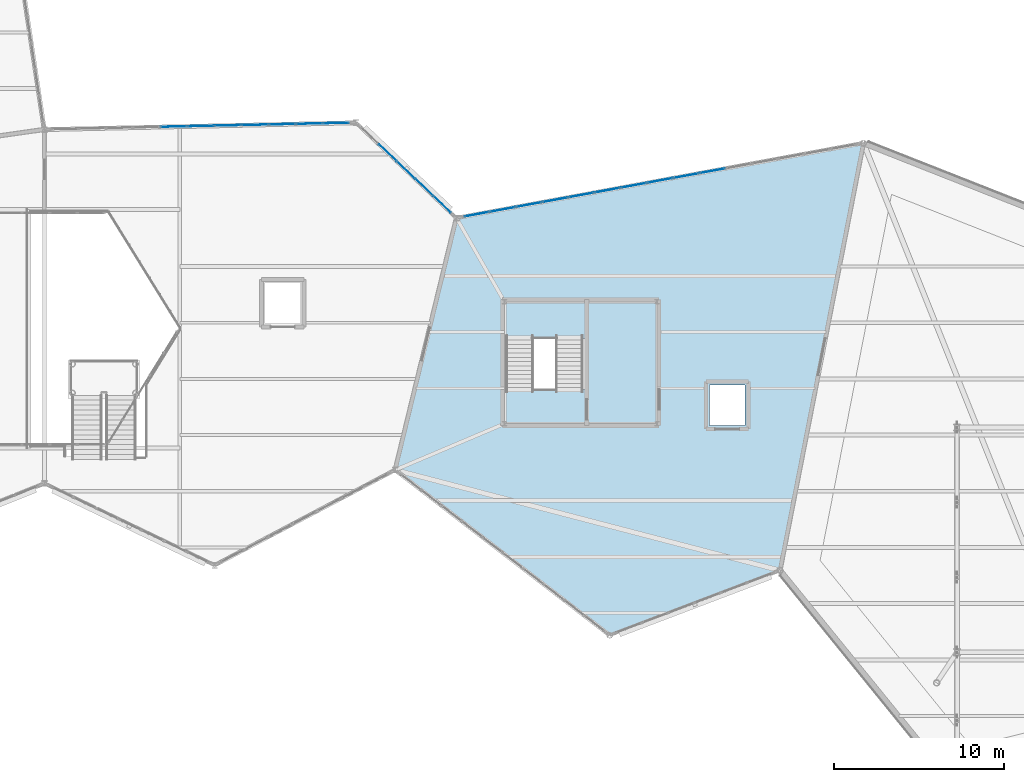
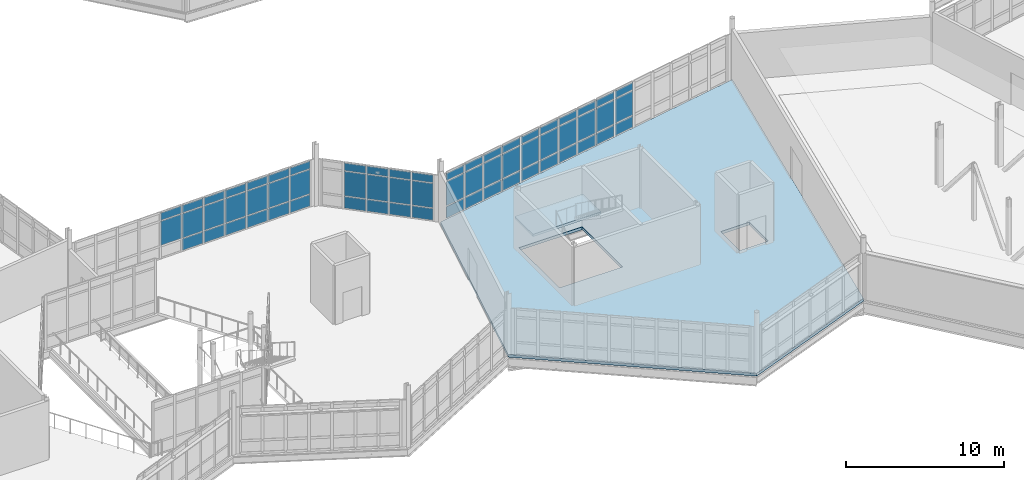
# One storey, part 74 of 114: 62 plates, 2 slabs, 4 elements without a shape of their own.
"""IFC4 building model written with IfcOpenShell, lengths in metres."""

from ifc_helpers import new_model, si_unit, direction, frame, origin, origin_2d, place, context, subcontext, project, spatial, polyline, rectangle, outline, extrude, material, layer, layer_set, type_object, element, aggregate, save


model = new_model("IFC4")

# Units and contexts
model_context = context("Model", 3, precision=1e-05, world=origin(), true_north=direction((0.0, 1.0)))
body_context = subcontext(model_context, "Body", "Model", "MODEL_VIEW")
ifc_project = project(units=[si_unit("LENGTHUNIT", "METRE"), si_unit("AREAUNIT", "SQUARE_METRE"), si_unit("VOLUMEUNIT", "CUBIC_METRE"), si_unit("PLANEANGLEUNIT", "RADIAN"), si_unit("MASSUNIT", "GRAM", prefix="KILO")], contexts=[model_context])

# Site, building, storey
site_placement = place(None, origin())
site = spatial("IfcSite", under=ifc_project, at=site_placement, CompositionType="ELEMENT")
building_placement = place(site_placement, origin())
building = spatial("IfcBuilding", under=site, at=building_placement, Name="Tameran Prism Museum", CompositionType="ELEMENT")
storey_placement = place(building_placement, frame((0.0, 0.0, 10.199951171875)))
storey = spatial("IfcBuildingStorey", under=building, at=storey_placement, Name="L02", CompositionType="ELEMENT", Elevation=10.199951171875)

# Curtain wall, plates
ifc_material_1 = material(Name="Anodised Aluminium 6063-T6 and Cyclone Solar Glass", Category="aluminium")
curtain_wall_type_1 = type_object("IfcCurtainWallType", Name="CW-FAC-738x362", PredefinedType="USERDEFINED", material=ifc_material_1)
curtain_wall_1_placement = place(storey_placement, origin())
curtain_wall_1 = element("IfcCurtainWall", 1, at=curtain_wall_1_placement, inside=storey, type_object=curtain_wall_type_1, Name="Unitised Curtain Wall CW-111", ObjectType="UNITISED CURTAIN WALL", PredefinedType="USERDEFINED")
ifc_material_2 = material(Name="Cyclone Laminated Solar Glass", Category="glass")
ifc_layer_1 = layer(ifc_material_2, 0.031982421875)
ifc_layer_set_1 = layer_set([ifc_layer_1])
plate_type = type_object("IfcPlateType", Name="CW-PNL-G32", PredefinedType="CURTAIN_PANEL", material=ifc_layer_set_1)
plate_1_placement = place(storey_placement, frame((97.65869140625, 46.8359375, 0.06494140625), z_axis=(0.0, 0.0, 1.0), x_axis=(0.725307438491, -0.688425100987, 0.0)))
plate_1 = element("IfcPlate", 2, at=plate_1_placement, type_object=plate_type, Name="CW-111 panel 2.1", PredefinedType="CURTAIN_PANEL", context=body_context, shape_type="SweptSolid", body=[
    extrude(rectangle(XDim=1.409912109375, YDim=0.031982421875, at=origin_2d()), origin(), (0.0, 0.0, 1.0), 0.902587890625),
])
plate_2_placement = place(storey_placement, frame((97.65869140625, 46.8359375, 1.032470703125), z_axis=(0.0, 0.0, 1.0), x_axis=(0.725307438491, -0.688425100987, 0.0)))
plate_2 = element("IfcPlate", 3, at=plate_2_placement, type_object=plate_type, Name="CW-111 panel 2.2", PredefinedType="CURTAIN_PANEL", context=body_context, shape_type="SweptSolid", body=[
    extrude(rectangle(XDim=1.409912109375, YDim=0.031982421875, at=origin_2d()), origin(), (0.0, 0.0, 1.0), 1.875),
])
plate_3_placement = place(storey_placement, frame((97.65869140625, 46.8359375, 2.97265625), z_axis=(0.0, 0.0, 1.0), x_axis=(0.725307438491, -0.688425100987, 0.0)))
plate_3 = element("IfcPlate", 4, at=plate_3_placement, type_object=plate_type, Name="CW-111 panel 2.3", PredefinedType="CURTAIN_PANEL", context=body_context, shape_type="SweptSolid", body=[
    extrude(rectangle(XDim=1.409912109375, YDim=0.031982421875, at=origin_2d()), origin(), (0.0, 0.0, 1.0), 0.58251953125),
])
plate_4_placement = place(storey_placement, frame((98.728515625, 45.820556640625, 0.06494140625), z_axis=(0.0, 0.0, 1.0), x_axis=(0.725307438491, -0.688425100987, 0.0)))
plate_4 = element("IfcPlate", 5, at=plate_4_placement, type_object=plate_type, Name="CW-111 panel 3.1", PredefinedType="CURTAIN_PANEL", context=body_context, shape_type="SweptSolid", body=[
    extrude(rectangle(XDim=1.409912109375, YDim=0.031982421875, at=origin_2d()), origin(), (0.0, 0.0, 1.0), 0.902587890625),
])
plate_5_placement = place(storey_placement, frame((98.728515625, 45.820556640625, 1.032470703125), z_axis=(0.0, 0.0, 1.0), x_axis=(0.725307438491, -0.688425100987, 0.0)))
plate_5 = element("IfcPlate", 6, at=plate_5_placement, type_object=plate_type, Name="CW-111 panel 3.2", PredefinedType="CURTAIN_PANEL", context=body_context, shape_type="SweptSolid", body=[
    extrude(rectangle(XDim=1.409912109375, YDim=0.031982421875, at=origin_2d()), origin(), (0.0, 0.0, 1.0), 1.875),
])
plate_6_placement = place(storey_placement, frame((98.728515625, 45.820556640625, 2.97265625), z_axis=(0.0, 0.0, 1.0), x_axis=(0.725307438491, -0.688425100987, 0.0)))
plate_6 = element("IfcPlate", 7, at=plate_6_placement, type_object=plate_type, Name="CW-111 panel 3.3", PredefinedType="CURTAIN_PANEL", context=body_context, shape_type="SweptSolid", body=[
    extrude(rectangle(XDim=1.409912109375, YDim=0.031982421875, at=origin_2d()), origin(), (0.0, 0.0, 1.0), 0.58251953125),
])
plate_7_placement = place(storey_placement, frame((99.79833984375, 44.80517578125, 0.06494140625), z_axis=(0.0, 0.0, 1.0), x_axis=(0.725307438491, -0.688425100987, 0.0)))
plate_7 = element("IfcPlate", 8, at=plate_7_placement, type_object=plate_type, Name="CW-111 panel 4.1", PredefinedType="CURTAIN_PANEL", context=body_context, shape_type="SweptSolid", body=[
    extrude(rectangle(XDim=1.409912109375, YDim=0.031982421875, at=origin_2d()), origin(), (0.0, 0.0, 1.0), 0.902587890625),
])
plate_8_placement = place(storey_placement, frame((99.79833984375, 44.80517578125, 1.032470703125), z_axis=(0.0, 0.0, 1.0), x_axis=(0.725307438491, -0.688425100987, 0.0)))
plate_8 = element("IfcPlate", 9, at=plate_8_placement, type_object=plate_type, Name="CW-111 panel 4.2", PredefinedType="CURTAIN_PANEL", context=body_context, shape_type="SweptSolid", body=[
    extrude(rectangle(XDim=1.409912109375, YDim=0.031982421875, at=origin_2d()), origin(), (0.0, 0.0, 1.0), 1.875),
])
plate_9_placement = place(storey_placement, frame((99.79833984375, 44.80517578125, 2.97265625), z_axis=(0.0, 0.0, 1.0), x_axis=(0.725307438491, -0.688425100987, 0.0)))
plate_9 = element("IfcPlate", 10, at=plate_9_placement, type_object=plate_type, Name="CW-111 panel 4.3", PredefinedType="CURTAIN_PANEL", context=body_context, shape_type="SweptSolid", body=[
    extrude(rectangle(XDim=1.409912109375, YDim=0.031982421875, at=origin_2d()), origin(), (0.0, 0.0, 1.0), 0.58251953125),
])
plate_10_placement = place(storey_placement, frame((100.856201171875, 43.80078125, 0.06494140625), z_axis=(0.0, 0.0, 1.0), x_axis=(0.725307438491, -0.688425100987, 0.0)))
plate_10 = element("IfcPlate", 11, at=plate_10_placement, type_object=plate_type, Name="CW-111 panel 5.1", PredefinedType="CURTAIN_PANEL", context=body_context, shape_type="SweptSolid", body=[
    extrude(rectangle(XDim=1.37744140625, YDim=0.031982421875, at=origin_2d()), origin(), (0.0, 0.0, 1.0), 0.902587890625),
])
plate_11_placement = place(storey_placement, frame((100.856201171875, 43.80078125, 1.032470703125), z_axis=(0.0, 0.0, 1.0), x_axis=(0.725307438491, -0.688425100987, 0.0)))
plate_11 = element("IfcPlate", 12, at=plate_11_placement, type_object=plate_type, Name="CW-111 panel 5.2", PredefinedType="CURTAIN_PANEL", context=body_context, shape_type="SweptSolid", body=[
    extrude(rectangle(XDim=1.37744140625, YDim=0.031982421875, at=origin_2d()), origin(), (0.0, 0.0, 1.0), 1.875),
])
plate_12_placement = place(storey_placement, frame((100.856201171875, 43.80078125, 2.97265625), z_axis=(0.0, 0.0, 1.0), x_axis=(0.725307438491, -0.688425100987, 0.0)))
plate_12 = element("IfcPlate", 13, at=plate_12_placement, type_object=plate_type, Name="CW-111 panel 5.3", PredefinedType="CURTAIN_PANEL", context=body_context, shape_type="SweptSolid", body=[
    extrude(rectangle(XDim=1.37744140625, YDim=0.031982421875, at=origin_2d()), origin(), (0.0, 0.0, 1.0), 0.58251953125),
])
aggregate(curtain_wall_1, [plate_1, plate_2, plate_3, plate_4, plate_5, plate_6, plate_7, plate_8, plate_9, plate_10, plate_11, plate_12])

ifc_material_3 = material(Name="Anodised Aluminium 6063-T6 and Cyclone Solar Glass", Category="aluminium")
curtain_wall_type_2 = type_object("IfcCurtainWallType", Name="CW-FAC-1754x362", PredefinedType="USERDEFINED", material=ifc_material_3)
curtain_wall_2_placement = place(storey_placement, origin())
curtain_wall_2 = element("IfcCurtainWall", 14, at=curtain_wall_2_placement, inside=storey, type_object=curtain_wall_type_2, Name="Unitised Curtain Wall CW-112", ObjectType="UNITISED CURTAIN WALL", PredefinedType="USERDEFINED")
plate_13_placement = place(storey_placement, frame((85.08544921875, 48.36572265625, 1.034912109375), z_axis=(0.0, 0.0, 1.0), x_axis=(0.999761684053, 0.021830600058, 0.0)))
plate_13 = element("IfcPlate", 15, at=plate_13_placement, type_object=plate_type, Name="CW-112 panel 5.2", PredefinedType="CURTAIN_PANEL", context=body_context, shape_type="SweptSolid", body=[
    extrude(rectangle(XDim=1.52490234375, YDim=0.031982421875, at=origin_2d()), origin(), (0.0, 0.0, 1.0), 1.8701171875),
])
plate_14_placement = place(storey_placement, frame((85.08544921875, 48.36572265625, 2.97509765625), z_axis=(0.0, 0.0, 1.0), x_axis=(0.999761684053, 0.021830600058, 0.0)))
plate_14 = element("IfcPlate", 16, at=plate_14_placement, type_object=plate_type, Name="CW-112 panel 5.3", PredefinedType="CURTAIN_PANEL", context=body_context, shape_type="SweptSolid", body=[
    extrude(rectangle(XDim=1.52490234375, YDim=0.031982421875, at=origin_2d()), origin(), (0.0, 0.0, 1.0), 0.574951171875),
])
plate_15_placement = place(storey_placement, frame((86.679931640625, 48.400390625, 0.070068359375), z_axis=(0.0, 0.0, 1.0), x_axis=(0.999761684053, 0.021830600058, 0.0)))
plate_15 = element("IfcPlate", 17, at=plate_15_placement, type_object=plate_type, Name="CW-112 panel 6.1", PredefinedType="CURTAIN_PANEL", context=body_context, shape_type="SweptSolid", body=[
    extrude(rectangle(XDim=1.52490234375, YDim=0.031982421875, at=origin_2d()), origin(), (0.0, 0.0, 1.0), 0.89501953125),
])
plate_16_placement = place(storey_placement, frame((86.679931640625, 48.400390625, 1.034912109375), z_axis=(0.0, 0.0, 1.0), x_axis=(0.999761684053, 0.021830600058, 0.0)))
plate_16 = element("IfcPlate", 18, at=plate_16_placement, type_object=plate_type, Name="CW-112 panel 6.2", PredefinedType="CURTAIN_PANEL", context=body_context, shape_type="SweptSolid", body=[
    extrude(rectangle(XDim=1.52490234375, YDim=0.031982421875, at=origin_2d()), origin(), (0.0, 0.0, 1.0), 1.8701171875),
])
plate_17_placement = place(storey_placement, frame((86.679931640625, 48.400390625, 2.97509765625), z_axis=(0.0, 0.0, 1.0), x_axis=(0.999761684053, 0.021830600058, 0.0)))
plate_17 = element("IfcPlate", 19, at=plate_17_placement, type_object=plate_type, Name="CW-112 panel 6.3", PredefinedType="CURTAIN_PANEL", context=body_context, shape_type="SweptSolid", body=[
    extrude(rectangle(XDim=1.52490234375, YDim=0.031982421875, at=origin_2d()), origin(), (0.0, 0.0, 1.0), 0.574951171875),
])
plate_18_placement = place(storey_placement, frame((88.274658203125, 48.435302734375, 0.070068359375), z_axis=(0.0, 0.0, 1.0), x_axis=(0.999761684053, 0.021830600058, 0.0)))
plate_18 = element("IfcPlate", 20, at=plate_18_placement, type_object=plate_type, Name="CW-112 panel 7.1", PredefinedType="CURTAIN_PANEL", context=body_context, shape_type="SweptSolid", body=[
    extrude(rectangle(XDim=1.52490234375, YDim=0.031982421875, at=origin_2d()), origin(), (0.0, 0.0, 1.0), 0.89501953125),
])
plate_19_placement = place(storey_placement, frame((88.274658203125, 48.435302734375, 1.034912109375), z_axis=(0.0, 0.0, 1.0), x_axis=(0.999761684053, 0.021830600058, 0.0)))
plate_19 = element("IfcPlate", 21, at=plate_19_placement, type_object=plate_type, Name="CW-112 panel 7.2", PredefinedType="CURTAIN_PANEL", context=body_context, shape_type="SweptSolid", body=[
    extrude(rectangle(XDim=1.52490234375, YDim=0.031982421875, at=origin_2d()), origin(), (0.0, 0.0, 1.0), 1.8701171875),
])
plate_20_placement = place(storey_placement, frame((88.274658203125, 48.435302734375, 2.97509765625), z_axis=(0.0, 0.0, 1.0), x_axis=(0.999761684053, 0.021830600058, 0.0)))
plate_20 = element("IfcPlate", 22, at=plate_20_placement, type_object=plate_type, Name="CW-112 panel 7.3", PredefinedType="CURTAIN_PANEL", context=body_context, shape_type="SweptSolid", body=[
    extrude(rectangle(XDim=1.52490234375, YDim=0.031982421875, at=origin_2d()), origin(), (0.0, 0.0, 1.0), 0.574951171875),
])
plate_21_placement = place(storey_placement, frame((89.869140625, 48.47021484375, 0.070068359375), z_axis=(0.0, 0.0, 1.0), x_axis=(0.999761684053, 0.021830600058, 0.0)))
plate_21 = element("IfcPlate", 23, at=plate_21_placement, type_object=plate_type, Name="CW-112 panel 8.1", PredefinedType="CURTAIN_PANEL", context=body_context, shape_type="SweptSolid", body=[
    extrude(rectangle(XDim=1.52490234375, YDim=0.031982421875, at=origin_2d()), origin(), (0.0, 0.0, 1.0), 0.89501953125),
])
plate_22_placement = place(storey_placement, frame((89.869140625, 48.47021484375, 1.034912109375), z_axis=(0.0, 0.0, 1.0), x_axis=(0.999761684053, 0.021830600058, 0.0)))
plate_22 = element("IfcPlate", 24, at=plate_22_placement, type_object=plate_type, Name="CW-112 panel 8.2", PredefinedType="CURTAIN_PANEL", context=body_context, shape_type="SweptSolid", body=[
    extrude(rectangle(XDim=1.52490234375, YDim=0.031982421875, at=origin_2d()), origin(), (0.0, 0.0, 1.0), 1.8701171875),
])
plate_23_placement = place(storey_placement, frame((89.869140625, 48.47021484375, 2.97509765625), z_axis=(0.0, 0.0, 1.0), x_axis=(0.999761684053, 0.021830600058, 0.0)))
plate_23 = element("IfcPlate", 25, at=plate_23_placement, type_object=plate_type, Name="CW-112 panel 8.3", PredefinedType="CURTAIN_PANEL", context=body_context, shape_type="SweptSolid", body=[
    extrude(rectangle(XDim=1.52490234375, YDim=0.031982421875, at=origin_2d()), origin(), (0.0, 0.0, 1.0), 0.574951171875),
])
plate_24_placement = place(storey_placement, frame((91.463623046875, 48.5048828125, 0.070068359375), z_axis=(0.0, 0.0, 1.0), x_axis=(0.999761684053, 0.021830600058, 0.0)))
plate_24 = element("IfcPlate", 26, at=plate_24_placement, type_object=plate_type, Name="CW-112 panel 9.1", PredefinedType="CURTAIN_PANEL", context=body_context, shape_type="SweptSolid", body=[
    extrude(rectangle(XDim=1.52490234375, YDim=0.031982421875, at=origin_2d()), origin(), (0.0, 0.0, 1.0), 0.89501953125),
])
plate_25_placement = place(storey_placement, frame((91.463623046875, 48.5048828125, 1.034912109375), z_axis=(0.0, 0.0, 1.0), x_axis=(0.999761684053, 0.021830600058, 0.0)))
plate_25 = element("IfcPlate", 27, at=plate_25_placement, type_object=plate_type, Name="CW-112 panel 9.2", PredefinedType="CURTAIN_PANEL", context=body_context, shape_type="SweptSolid", body=[
    extrude(rectangle(XDim=1.52490234375, YDim=0.031982421875, at=origin_2d()), origin(), (0.0, 0.0, 1.0), 1.8701171875),
])
plate_26_placement = place(storey_placement, frame((91.463623046875, 48.5048828125, 2.97509765625), z_axis=(0.0, 0.0, 1.0), x_axis=(0.999761684053, 0.021830600058, 0.0)))
plate_26 = element("IfcPlate", 28, at=plate_26_placement, type_object=plate_type, Name="CW-112 panel 9.3", PredefinedType="CURTAIN_PANEL", context=body_context, shape_type="SweptSolid", body=[
    extrude(rectangle(XDim=1.52490234375, YDim=0.031982421875, at=origin_2d()), origin(), (0.0, 0.0, 1.0), 0.574951171875),
])
plate_27_placement = place(storey_placement, frame((93.05810546875, 48.539794921875, 0.070068359375), z_axis=(0.0, 0.0, 1.0), x_axis=(0.999761684053, 0.021830600058, 0.0)))
plate_27 = element("IfcPlate", 29, at=plate_27_placement, type_object=plate_type, Name="CW-112 panel 10.1", PredefinedType="CURTAIN_PANEL", context=body_context, shape_type="SweptSolid", body=[
    extrude(rectangle(XDim=1.52490234375, YDim=0.031982421875, at=origin_2d()), origin(), (0.0, 0.0, 1.0), 0.89501953125),
])
plate_28_placement = place(storey_placement, frame((93.05810546875, 48.539794921875, 1.034912109375), z_axis=(0.0, 0.0, 1.0), x_axis=(0.999761684053, 0.021830600058, 0.0)))
plate_28 = element("IfcPlate", 30, at=plate_28_placement, type_object=plate_type, Name="CW-112 panel 10.2", PredefinedType="CURTAIN_PANEL", context=body_context, shape_type="SweptSolid", body=[
    extrude(rectangle(XDim=1.52490234375, YDim=0.031982421875, at=origin_2d()), origin(), (0.0, 0.0, 1.0), 1.8701171875),
])
plate_29_placement = place(storey_placement, frame((93.05810546875, 48.539794921875, 2.97509765625), z_axis=(0.0, 0.0, 1.0), x_axis=(0.999761684053, 0.021830600058, 0.0)))
plate_29 = element("IfcPlate", 31, at=plate_29_placement, type_object=plate_type, Name="CW-112 panel 10.3", PredefinedType="CURTAIN_PANEL", context=body_context, shape_type="SweptSolid", body=[
    extrude(rectangle(XDim=1.52490234375, YDim=0.031982421875, at=origin_2d()), origin(), (0.0, 0.0, 1.0), 0.574951171875),
])
plate_30_placement = place(storey_placement, frame((94.63525390625, 48.57421875, 0.070068359375), z_axis=(0.0, 0.0, 1.0), x_axis=(0.999761684053, 0.021830600058, 0.0)))
plate_30 = element("IfcPlate", 32, at=plate_30_placement, type_object=plate_type, Name="CW-112 panel 11.1", PredefinedType="CURTAIN_PANEL", context=body_context, shape_type="SweptSolid", body=[
    extrude(rectangle(XDim=1.489990234375, YDim=0.031982421875, at=origin_2d()), origin(), (0.0, 0.0, 1.0), 0.89501953125),
])
plate_31_placement = place(storey_placement, frame((94.63525390625, 48.57421875, 1.034912109375), z_axis=(0.0, 0.0, 1.0), x_axis=(0.999761684053, 0.021830600058, 0.0)))
plate_31 = element("IfcPlate", 33, at=plate_31_placement, type_object=plate_type, Name="CW-112 panel 11.2", PredefinedType="CURTAIN_PANEL", context=body_context, shape_type="SweptSolid", body=[
    extrude(rectangle(XDim=1.489990234375, YDim=0.031982421875, at=origin_2d()), origin(), (0.0, 0.0, 1.0), 1.8701171875),
])
plate_32_placement = place(storey_placement, frame((94.63525390625, 48.57421875, 2.97509765625), z_axis=(0.0, 0.0, 1.0), x_axis=(0.999761684053, 0.021830600058, 0.0)))
plate_32 = element("IfcPlate", 34, at=plate_32_placement, type_object=plate_type, Name="CW-112 panel 11.3", PredefinedType="CURTAIN_PANEL", context=body_context, shape_type="SweptSolid", body=[
    extrude(rectangle(XDim=1.489990234375, YDim=0.031982421875, at=origin_2d()), origin(), (0.0, 0.0, 1.0), 0.574951171875),
])
aggregate(curtain_wall_2, [plate_13, plate_14, plate_15, plate_16, plate_17, plate_18, plate_19, plate_20, plate_21, plate_22, plate_23, plate_24, plate_25, plate_26, plate_27, plate_28, plate_29, plate_30, plate_31, plate_32])

ifc_material_4 = material(Name="Anodised Aluminium 6063-T6 and Cyclone Solar Glass", Category="aluminium")
curtain_wall_type_3 = type_object("IfcCurtainWallType", Name="CW-FAC-2348x362", PredefinedType="USERDEFINED", material=ifc_material_4)
curtain_wall_3_placement = place(storey_placement, origin())
curtain_wall_3 = element("IfcCurtainWall", 35, at=curtain_wall_3_placement, inside=storey, type_object=curtain_wall_type_3, Name="Unitised Curtain Wall CW-118", ObjectType="UNITISED CURTAIN WALL", PredefinedType="USERDEFINED")
plate_33_placement = place(storey_placement, frame((102.892333984375, 43.21923828125, 0.080078125), z_axis=(0.0, 0.0, 1.0), x_axis=(0.98347155585, 0.181062693106, 0.0)))
plate_33 = element("IfcPlate", 36, at=plate_33_placement, type_object=plate_type, Name="CW-118 panel 1.1", PredefinedType="CURTAIN_PANEL", context=body_context, shape_type="SweptSolid", body=[
    extrude(rectangle(XDim=1.4453125, YDim=0.031982421875, at=origin_2d()), origin(), (0.0, 0.0, 1.0), 0.8798828125),
])
plate_34_placement = place(storey_placement, frame((102.892333984375, 43.21923828125, 1.0400390625), z_axis=(0.0, 0.0, 1.0), x_axis=(0.98347155585, 0.181062693106, 0.0)))
plate_34 = element("IfcPlate", 37, at=plate_34_placement, type_object=plate_type, Name="CW-118 panel 1.2", PredefinedType="CURTAIN_PANEL", context=body_context, shape_type="SweptSolid", body=[
    extrude(rectangle(XDim=1.4453125, YDim=0.031982421875, at=origin_2d()), origin(), (0.0, 0.0, 1.0), 1.860107421875),
])
plate_35_placement = place(storey_placement, frame((102.892333984375, 43.21923828125, 2.97998046875), z_axis=(0.0, 0.0, 1.0), x_axis=(0.98347155585, 0.181062693106, 0.0)))
plate_35 = element("IfcPlate", 38, at=plate_35_placement, type_object=plate_type, Name="CW-118 panel 1.3", PredefinedType="CURTAIN_PANEL", context=body_context, shape_type="SweptSolid", body=[
    extrude(rectangle(XDim=1.4453125, YDim=0.031982421875, at=origin_2d()), origin(), (0.0, 0.0, 1.0), 0.56005859375),
])
plate_36_placement = place(storey_placement, frame((104.412109375, 43.4990234375, 0.080078125), z_axis=(0.0, 0.0, 1.0), x_axis=(0.98347155585, 0.181062693106, 0.0)))
plate_36 = element("IfcPlate", 39, at=plate_36_placement, type_object=plate_type, Name="CW-118 panel 2.1", PredefinedType="CURTAIN_PANEL", context=body_context, shape_type="SweptSolid", body=[
    extrude(rectangle(XDim=1.485107421875, YDim=0.031982421875, at=origin_2d()), origin(), (0.0, 0.0, 1.0), 0.8798828125),
])
plate_37_placement = place(storey_placement, frame((104.412109375, 43.4990234375, 1.0400390625), z_axis=(0.0, 0.0, 1.0), x_axis=(0.98347155585, 0.181062693106, 0.0)))
plate_37 = element("IfcPlate", 40, at=plate_37_placement, type_object=plate_type, Name="CW-118 panel 2.2", PredefinedType="CURTAIN_PANEL", context=body_context, shape_type="SweptSolid", body=[
    extrude(rectangle(XDim=1.485107421875, YDim=0.031982421875, at=origin_2d()), origin(), (0.0, 0.0, 1.0), 1.860107421875),
])
plate_38_placement = place(storey_placement, frame((104.412109375, 43.4990234375, 2.97998046875), z_axis=(0.0, 0.0, 1.0), x_axis=(0.98347155585, 0.181062693106, 0.0)))
plate_38 = element("IfcPlate", 41, at=plate_38_placement, type_object=plate_type, Name="CW-118 panel 2.3", PredefinedType="CURTAIN_PANEL", context=body_context, shape_type="SweptSolid", body=[
    extrude(rectangle(XDim=1.485107421875, YDim=0.031982421875, at=origin_2d()), origin(), (0.0, 0.0, 1.0), 0.56005859375),
])
plate_39_placement = place(storey_placement, frame((105.951416015625, 43.782470703125, 0.080078125), z_axis=(0.0, 0.0, 1.0), x_axis=(0.98347155585, 0.181062693106, 0.0)))
plate_39 = element("IfcPlate", 42, at=plate_39_placement, type_object=plate_type, Name="CW-118 panel 3.1", PredefinedType="CURTAIN_PANEL", context=body_context, shape_type="SweptSolid", body=[
    extrude(rectangle(XDim=1.485107421875, YDim=0.031982421875, at=origin_2d()), origin(), (0.0, 0.0, 1.0), 0.8798828125),
])
plate_40_placement = place(storey_placement, frame((105.951416015625, 43.782470703125, 1.0400390625), z_axis=(0.0, 0.0, 1.0), x_axis=(0.98347155585, 0.181062693106, 0.0)))
plate_40 = element("IfcPlate", 43, at=plate_40_placement, type_object=plate_type, Name="CW-118 panel 3.2", PredefinedType="CURTAIN_PANEL", context=body_context, shape_type="SweptSolid", body=[
    extrude(rectangle(XDim=1.485107421875, YDim=0.031982421875, at=origin_2d()), origin(), (0.0, 0.0, 1.0), 1.860107421875),
])
plate_41_placement = place(storey_placement, frame((105.951416015625, 43.782470703125, 2.97998046875), z_axis=(0.0, 0.0, 1.0), x_axis=(0.98347155585, 0.181062693106, 0.0)))
plate_41 = element("IfcPlate", 44, at=plate_41_placement, type_object=plate_type, Name="CW-118 panel 3.3", PredefinedType="CURTAIN_PANEL", context=body_context, shape_type="SweptSolid", body=[
    extrude(rectangle(XDim=1.485107421875, YDim=0.031982421875, at=origin_2d()), origin(), (0.0, 0.0, 1.0), 0.56005859375),
])
plate_42_placement = place(storey_placement, frame((107.49072265625, 44.06591796875, 0.080078125), z_axis=(0.0, 0.0, 1.0), x_axis=(0.98347155585, 0.181062693106, 0.0)))
plate_42 = element("IfcPlate", 45, at=plate_42_placement, type_object=plate_type, Name="CW-118 panel 4.1", PredefinedType="CURTAIN_PANEL", context=body_context, shape_type="SweptSolid", body=[
    extrude(rectangle(XDim=1.485107421875, YDim=0.031982421875, at=origin_2d()), origin(), (0.0, 0.0, 1.0), 0.8798828125),
])
plate_43_placement = place(storey_placement, frame((107.49072265625, 44.06591796875, 1.0400390625), z_axis=(0.0, 0.0, 1.0), x_axis=(0.98347155585, 0.181062693106, 0.0)))
plate_43 = element("IfcPlate", 46, at=plate_43_placement, type_object=plate_type, Name="CW-118 panel 4.2", PredefinedType="CURTAIN_PANEL", context=body_context, shape_type="SweptSolid", body=[
    extrude(rectangle(XDim=1.485107421875, YDim=0.031982421875, at=origin_2d()), origin(), (0.0, 0.0, 1.0), 1.860107421875),
])
plate_44_placement = place(storey_placement, frame((107.49072265625, 44.06591796875, 2.97998046875), z_axis=(0.0, 0.0, 1.0), x_axis=(0.98347155585, 0.181062693106, 0.0)))
plate_44 = element("IfcPlate", 47, at=plate_44_placement, type_object=plate_type, Name="CW-118 panel 4.3", PredefinedType="CURTAIN_PANEL", context=body_context, shape_type="SweptSolid", body=[
    extrude(rectangle(XDim=1.485107421875, YDim=0.031982421875, at=origin_2d()), origin(), (0.0, 0.0, 1.0), 0.56005859375),
])
plate_45_placement = place(storey_placement, frame((109.030029296875, 44.349365234375, 0.080078125), z_axis=(0.0, 0.0, 1.0), x_axis=(0.98347155585, 0.181062693106, 0.0)))
plate_45 = element("IfcPlate", 48, at=plate_45_placement, type_object=plate_type, Name="CW-118 panel 5.1", PredefinedType="CURTAIN_PANEL", context=body_context, shape_type="SweptSolid", body=[
    extrude(rectangle(XDim=1.485107421875, YDim=0.031982421875, at=origin_2d()), origin(), (0.0, 0.0, 1.0), 0.8798828125),
])
plate_46_placement = place(storey_placement, frame((109.030029296875, 44.349365234375, 1.0400390625), z_axis=(0.0, 0.0, 1.0), x_axis=(0.98347155585, 0.181062693106, 0.0)))
plate_46 = element("IfcPlate", 49, at=plate_46_placement, type_object=plate_type, Name="CW-118 panel 5.2", PredefinedType="CURTAIN_PANEL", context=body_context, shape_type="SweptSolid", body=[
    extrude(rectangle(XDim=1.485107421875, YDim=0.031982421875, at=origin_2d()), origin(), (0.0, 0.0, 1.0), 1.860107421875),
])
plate_47_placement = place(storey_placement, frame((109.030029296875, 44.349365234375, 2.97998046875), z_axis=(0.0, 0.0, 1.0), x_axis=(0.98347155585, 0.181062693106, 0.0)))
plate_47 = element("IfcPlate", 50, at=plate_47_placement, type_object=plate_type, Name="CW-118 panel 5.3", PredefinedType="CURTAIN_PANEL", context=body_context, shape_type="SweptSolid", body=[
    extrude(rectangle(XDim=1.485107421875, YDim=0.031982421875, at=origin_2d()), origin(), (0.0, 0.0, 1.0), 0.56005859375),
])
plate_48_placement = place(storey_placement, frame((110.5693359375, 44.6328125, 0.080078125), z_axis=(0.0, 0.0, 1.0), x_axis=(0.98347155585, 0.181062693106, 0.0)))
plate_48 = element("IfcPlate", 51, at=plate_48_placement, type_object=plate_type, Name="CW-118 panel 6.1", PredefinedType="CURTAIN_PANEL", context=body_context, shape_type="SweptSolid", body=[
    extrude(rectangle(XDim=1.485107421875, YDim=0.031982421875, at=origin_2d()), origin(), (0.0, 0.0, 1.0), 0.8798828125),
])
plate_49_placement = place(storey_placement, frame((110.5693359375, 44.6328125, 1.0400390625), z_axis=(0.0, 0.0, 1.0), x_axis=(0.98347155585, 0.181062693106, 0.0)))
plate_49 = element("IfcPlate", 52, at=plate_49_placement, type_object=plate_type, Name="CW-118 panel 6.2", PredefinedType="CURTAIN_PANEL", context=body_context, shape_type="SweptSolid", body=[
    extrude(rectangle(XDim=1.485107421875, YDim=0.031982421875, at=origin_2d()), origin(), (0.0, 0.0, 1.0), 1.860107421875),
])
plate_50_placement = place(storey_placement, frame((110.5693359375, 44.6328125, 2.97998046875), z_axis=(0.0, 0.0, 1.0), x_axis=(0.98347155585, 0.181062693106, 0.0)))
plate_50 = element("IfcPlate", 53, at=plate_50_placement, type_object=plate_type, Name="CW-118 panel 6.3", PredefinedType="CURTAIN_PANEL", context=body_context, shape_type="SweptSolid", body=[
    extrude(rectangle(XDim=1.485107421875, YDim=0.031982421875, at=origin_2d()), origin(), (0.0, 0.0, 1.0), 0.56005859375),
])
plate_51_placement = place(storey_placement, frame((112.108642578125, 44.916015625, 0.080078125), z_axis=(0.0, 0.0, 1.0), x_axis=(0.98347155585, 0.181062693106, 0.0)))
plate_51 = element("IfcPlate", 54, at=plate_51_placement, type_object=plate_type, Name="CW-118 panel 7.1", PredefinedType="CURTAIN_PANEL", context=body_context, shape_type="SweptSolid", body=[
    extrude(rectangle(XDim=1.485107421875, YDim=0.031982421875, at=origin_2d()), origin(), (0.0, 0.0, 1.0), 0.8798828125),
])
plate_52_placement = place(storey_placement, frame((112.108642578125, 44.916015625, 1.0400390625), z_axis=(0.0, 0.0, 1.0), x_axis=(0.98347155585, 0.181062693106, 0.0)))
plate_52 = element("IfcPlate", 55, at=plate_52_placement, type_object=plate_type, Name="CW-118 panel 7.2", PredefinedType="CURTAIN_PANEL", context=body_context, shape_type="SweptSolid", body=[
    extrude(rectangle(XDim=1.485107421875, YDim=0.031982421875, at=origin_2d()), origin(), (0.0, 0.0, 1.0), 1.860107421875),
])
plate_53_placement = place(storey_placement, frame((112.108642578125, 44.916015625, 2.97998046875), z_axis=(0.0, 0.0, 1.0), x_axis=(0.98347155585, 0.181062693106, 0.0)))
plate_53 = element("IfcPlate", 56, at=plate_53_placement, type_object=plate_type, Name="CW-118 panel 7.3", PredefinedType="CURTAIN_PANEL", context=body_context, shape_type="SweptSolid", body=[
    extrude(rectangle(XDim=1.485107421875, YDim=0.031982421875, at=origin_2d()), origin(), (0.0, 0.0, 1.0), 0.56005859375),
])
plate_54_placement = place(storey_placement, frame((113.64794921875, 45.199462890625, 0.080078125), z_axis=(0.0, 0.0, 1.0), x_axis=(0.98347155585, 0.181062693106, 0.0)))
plate_54 = element("IfcPlate", 57, at=plate_54_placement, type_object=plate_type, Name="CW-118 panel 8.1", PredefinedType="CURTAIN_PANEL", context=body_context, shape_type="SweptSolid", body=[
    extrude(rectangle(XDim=1.485107421875, YDim=0.031982421875, at=origin_2d()), origin(), (0.0, 0.0, 1.0), 0.8798828125),
])
plate_55_placement = place(storey_placement, frame((113.64794921875, 45.199462890625, 1.0400390625), z_axis=(0.0, 0.0, 1.0), x_axis=(0.98347155585, 0.181062693106, 0.0)))
plate_55 = element("IfcPlate", 58, at=plate_55_placement, type_object=plate_type, Name="CW-118 panel 8.2", PredefinedType="CURTAIN_PANEL", context=body_context, shape_type="SweptSolid", body=[
    extrude(rectangle(XDim=1.485107421875, YDim=0.031982421875, at=origin_2d()), origin(), (0.0, 0.0, 1.0), 1.860107421875),
])
plate_56_placement = place(storey_placement, frame((113.64794921875, 45.199462890625, 2.97998046875), z_axis=(0.0, 0.0, 1.0), x_axis=(0.98347155585, 0.181062693106, 0.0)))
plate_56 = element("IfcPlate", 59, at=plate_56_placement, type_object=plate_type, Name="CW-118 panel 8.3", PredefinedType="CURTAIN_PANEL", context=body_context, shape_type="SweptSolid", body=[
    extrude(rectangle(XDim=1.485107421875, YDim=0.031982421875, at=origin_2d()), origin(), (0.0, 0.0, 1.0), 0.56005859375),
])
plate_57_placement = place(storey_placement, frame((115.187255859375, 45.48291015625, 0.080078125), z_axis=(0.0, 0.0, 1.0), x_axis=(0.98347155585, 0.181062693106, 0.0)))
plate_57 = element("IfcPlate", 60, at=plate_57_placement, type_object=plate_type, Name="CW-118 panel 9.1", PredefinedType="CURTAIN_PANEL", context=body_context, shape_type="SweptSolid", body=[
    extrude(rectangle(XDim=1.485107421875, YDim=0.031982421875, at=origin_2d()), origin(), (0.0, 0.0, 1.0), 0.8798828125),
])
plate_58_placement = place(storey_placement, frame((115.187255859375, 45.48291015625, 1.0400390625), z_axis=(0.0, 0.0, 1.0), x_axis=(0.98347155585, 0.181062693106, 0.0)))
plate_58 = element("IfcPlate", 61, at=plate_58_placement, type_object=plate_type, Name="CW-118 panel 9.2", PredefinedType="CURTAIN_PANEL", context=body_context, shape_type="SweptSolid", body=[
    extrude(rectangle(XDim=1.485107421875, YDim=0.031982421875, at=origin_2d()), origin(), (0.0, 0.0, 1.0), 1.860107421875),
])
plate_59_placement = place(storey_placement, frame((115.187255859375, 45.48291015625, 2.97998046875), z_axis=(0.0, 0.0, 1.0), x_axis=(0.98347155585, 0.181062693106, 0.0)))
plate_59 = element("IfcPlate", 62, at=plate_59_placement, type_object=plate_type, Name="CW-118 panel 9.3", PredefinedType="CURTAIN_PANEL", context=body_context, shape_type="SweptSolid", body=[
    extrude(rectangle(XDim=1.485107421875, YDim=0.031982421875, at=origin_2d()), origin(), (0.0, 0.0, 1.0), 0.56005859375),
])
plate_60_placement = place(storey_placement, frame((116.7265625, 45.766357421875, 0.080078125), z_axis=(0.0, 0.0, 1.0), x_axis=(0.98347155585, 0.181062693106, 0.0)))
plate_60 = element("IfcPlate", 63, at=plate_60_placement, type_object=plate_type, Name="CW-118 panel 10.1", PredefinedType="CURTAIN_PANEL", context=body_context, shape_type="SweptSolid", body=[
    extrude(rectangle(XDim=1.485107421875, YDim=0.031982421875, at=origin_2d()), origin(), (0.0, 0.0, 1.0), 0.8798828125),
])
plate_61_placement = place(storey_placement, frame((116.7265625, 45.766357421875, 1.0400390625), z_axis=(0.0, 0.0, 1.0), x_axis=(0.98347155585, 0.181062693106, 0.0)))
plate_61 = element("IfcPlate", 64, at=plate_61_placement, type_object=plate_type, Name="CW-118 panel 10.2", PredefinedType="CURTAIN_PANEL", context=body_context, shape_type="SweptSolid", body=[
    extrude(rectangle(XDim=1.485107421875, YDim=0.031982421875, at=origin_2d()), origin(), (0.0, 0.0, 1.0), 1.860107421875),
])
plate_62_placement = place(storey_placement, frame((116.7265625, 45.766357421875, 2.97998046875), z_axis=(0.0, 0.0, 1.0), x_axis=(0.98347155585, 0.181062693106, 0.0)))
plate_62 = element("IfcPlate", 65, at=plate_62_placement, type_object=plate_type, Name="CW-118 panel 10.3", PredefinedType="CURTAIN_PANEL", context=body_context, shape_type="SweptSolid", body=[
    extrude(rectangle(XDim=1.485107421875, YDim=0.031982421875, at=origin_2d()), origin(), (0.0, 0.0, 1.0), 0.56005859375),
])
aggregate(curtain_wall_3, [plate_33, plate_34, plate_35, plate_36, plate_37, plate_38, plate_39, plate_40, plate_41, plate_42, plate_43, plate_44, plate_45, plate_46, plate_47, plate_48, plate_49, plate_50, plate_51, plate_52, plate_53, plate_54, plate_55, plate_56, plate_57, plate_58, plate_59, plate_60, plate_61, plate_62])

# Slab
ifc_material_5 = material(Name="Concrete N32 (32 MPa)", Category="concrete")
ifc_layer_2 = layer(ifc_material_5, 0.219970703125)
ifc_layer_set_2 = layer_set([ifc_layer_2])
slab_type_1 = type_object("IfcSlabType", Name="SL-FLR-220", PredefinedType="FLOOR", material=ifc_layer_set_2)
slab_1_placement = place(storey_placement, frame((0.0, 0.0, -0.219970703125)))
element("IfcSlab", 66, at=slab_1_placement, inside=storey, type_object=slab_type_1, Name="Floor Slab FS-P08-L02", PredefinedType="FLOOR", context=body_context, shape_type="SweptSolid", body=[
    extrude(outline(polyline([(101.699951171875, 43.0), (125.60009765625, 47.39990234375), (120.699951171875, 22.300048828125), (110.699951171875, 18.5), (98.10009765625, 28.199951171875), (101.699951171875, 43.0)]), holes=[polyline([(118.64990234375, 30.800048828125), (118.64990234375, 33.199951171875), (116.550048828125, 33.199951171875), (116.550048828125, 30.800048828125), (118.64990234375, 30.800048828125)]), polyline([(109.219970703125, 32.93994140625), (109.219970703125, 38.050048828125), (104.60009765625, 38.050048828125), (104.60009765625, 32.93994140625), (109.219970703125, 32.93994140625)])]), origin(), (0.0, 0.0, 1.0), 0.219970703125),
])

# Stair, slab
ifc_material_6 = material(Name="Concrete N40 (40 MPa)", Category="concrete")
stair_type = type_object("IfcStairType", Name="ST-CORE-48", PredefinedType="HALF_TURN_STAIR", material=ifc_material_6)
stair_placement = place(storey_placement, origin())
stair = element("IfcStair", 67, at=stair_placement, inside=storey, type_object=stair_type, Name="Fire-Isolated Stair ST-04-L02", PredefinedType="HALF_TURN_STAIR")
ifc_material_7 = material(Name="Concrete N40 (40 MPa)", Category="concrete")
ifc_layer_3 = layer(ifc_material_7, 0.18505859375)
ifc_layer_set_3 = layer_set([ifc_layer_3])
slab_type_2 = type_object("IfcSlabType", Name="SL-LND-185", PredefinedType="LANDING", material=ifc_layer_set_3)
slab_2_placement = place(storey_placement, frame((0.0, 0.0, 2.215087890625)))
slab_2 = element("IfcSlab", 68, at=slab_2_placement, type_object=slab_type_2, Name="ST-04-L02 landing 1", PredefinedType="LANDING", context=body_context, shape_type="SweptSolid", body=[
    extrude(outline(polyline([(104.3798828125, 35.9150390625), (109.3701171875, 35.9150390625), (109.3701171875, 38.219970703125), (104.3798828125, 38.219970703125), (104.3798828125, 35.9150390625)])), origin(), (0.0, 0.0, 1.0), 0.18505859375),
])
aggregate(stair, [slab_2])

save(model, "model.ifc")
